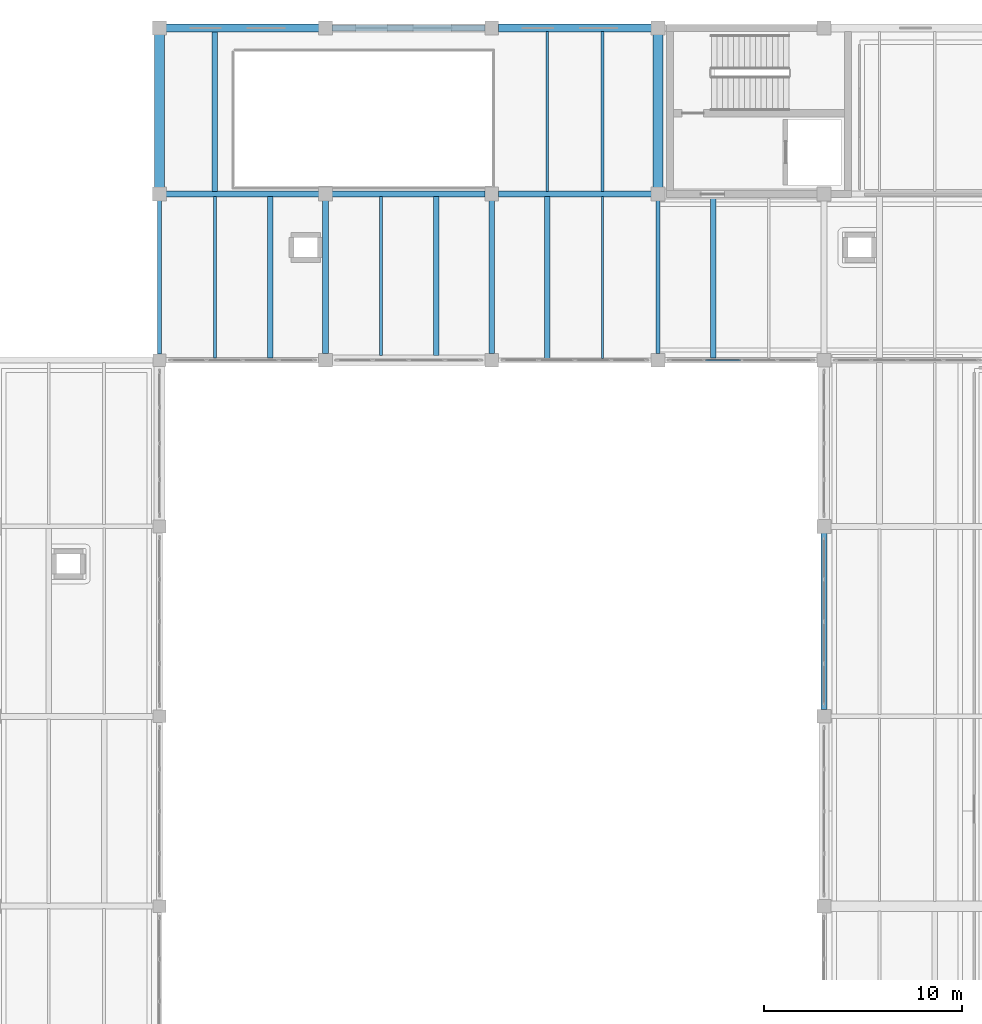
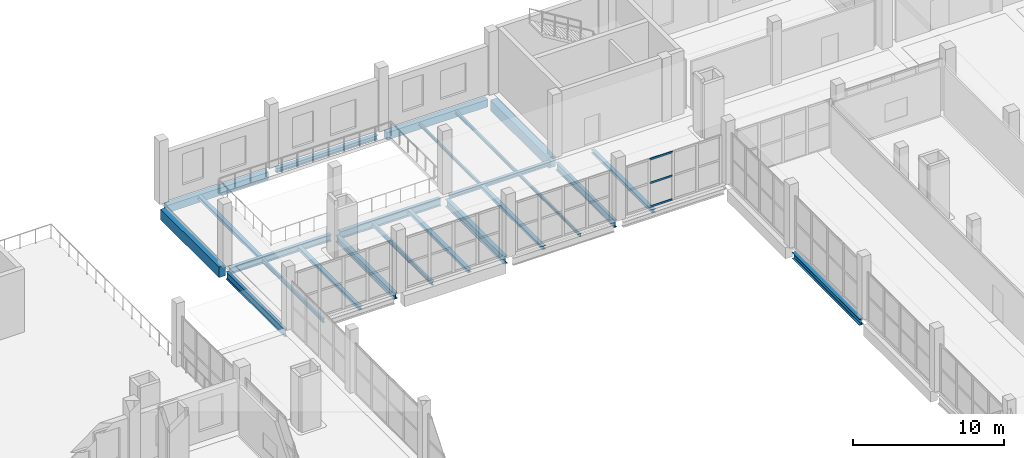
# One storey, part 29 of 73: 23 beams, 3 members, 1 element without a shape of its own.
"""IFC4 building model written with IfcOpenShell, lengths in metres."""

from ifc_helpers import new_model, si_unit, direction, frame, origin, origin_2d, place, context, subcontext, project, spatial, rectangle, hollow_rectangle, i_section, extrude, material, layer, layer_set, material_profile, profile_set, type_object, element, aggregate, save


model = new_model("IFC4")

# Units and contexts
model_context = context("Model", 3, precision=1e-05, world=origin(), true_north=direction((0.0, 1.0)))
body_context = subcontext(model_context, "Body", "Model", "MODEL_VIEW")
ifc_project = project(units=[si_unit("LENGTHUNIT", "METRE"), si_unit("AREAUNIT", "SQUARE_METRE"), si_unit("VOLUMEUNIT", "CUBIC_METRE"), si_unit("PLANEANGLEUNIT", "RADIAN"), si_unit("MASSUNIT", "GRAM", prefix="KILO")], contexts=[model_context])

# Site, building, storey
site_placement = place(None, origin())
site = spatial("IfcSite", under=ifc_project, at=site_placement, CompositionType="ELEMENT")
building_placement = place(site_placement, origin())
building = spatial("IfcBuilding", under=site, at=building_placement, Name="Zulmaris Art Gallery", CompositionType="ELEMENT")
storey_placement = place(building_placement, frame((0.0, 0.0, 10.5)))
storey = spatial("IfcBuildingStorey", under=building, at=storey_placement, Name="L02", CompositionType="ELEMENT", Elevation=10.5)

# Beams
ifc_material_1 = material(Name="Steel S355J2", Category="steel")
ifc_material_profile_1 = material_profile(ifc_material_1, i_section(OverallWidth=0.219970703125, OverallDepth=0.60009765625, WebThickness=0.011962890625, FlangeThickness=0.01904296875, FilletRadius=0.02392578125, at=origin_2d()), Name="IPE 600")
ifc_profile_set_1 = profile_set([ifc_material_profile_1], Name="Steel S355J2")
beam_type_1 = type_object("IfcBeamType", Name="BEAM-BM07", PredefinedType="BEAM", material=ifc_profile_set_1)
beam_1_placement = place(storey_placement, frame((91.199951171875, 59.110107421875, -0.695068359375), z_axis=(0.0, 1.0, 0.0), x_axis=(-1.0, 0.0, 0.0)))
element("IfcBeam", 1, at=beam_1_placement, inside=storey, type_object=beam_type_1, Name="L02 Y-girder (x=91.2, 58.8..67.2)", PredefinedType="BEAM", context=body_context, shape_type="SweptSolid", body=[
    extrude(i_section(OverallWidth=0.219970703125, OverallDepth=0.60009765625, WebThickness=0.011962890625, FlangeThickness=0.01904296875, FilletRadius=0.02392578125, at=origin_2d()), origin(), (0.0, 0.0, 1.0), 7.7548828125),
])
beam_2_placement = place(storey_placement, frame((116.39990234375, 59.135009765625, -0.695068359375), z_axis=(0.0, 1.0, 0.0), x_axis=(-1.0, 0.0, 0.0)))
element("IfcBeam", 2, at=beam_2_placement, inside=storey, type_object=beam_type_1, Name="L02 Y-girder (x=116.4, 58.8..67.2)", PredefinedType="BEAM", context=body_context, shape_type="SweptSolid", body=[
    extrude(i_section(OverallWidth=0.219970703125, OverallDepth=0.60009765625, WebThickness=0.011962890625, FlangeThickness=0.01904296875, FilletRadius=0.02392578125, at=origin_2d()), origin(), (0.0, 0.0, 1.0), 7.72998046875),
])
ifc_material_profile_2 = material_profile(ifc_material_1, i_section(OverallWidth=0.300048828125, OverallDepth=0.5, WebThickness=0.014404296875, FlangeThickness=0.028076171875, FilletRadius=0.027099609375, at=origin_2d()), Name="HEB 500")
ifc_profile_set_2 = profile_set([ifc_material_profile_2], Name="Steel S355J2")
beam_type_2 = type_object("IfcBeamType", Name="BEAM-BM14", PredefinedType="BEAM", material=ifc_profile_set_2)
for number, where, z_axis, x_axis, name in (
    (3, (91.534912109375, 67.199951171875, -0.64990234375), (1.0, 0.0, 0.0), (0.0, 1.0, 0.0), "L02 X-girder (91.2..99.6, y=67.2)"),
    (4, (99.60009765625, 59.135009765625, -0.64990234375), (0.0, 1.0, 0.0), (-1.0, 0.0, 0.0), "L02 Y-girder (x=99.6, 58.8..67.2)"),
):
    element("IfcBeam", number, at=place(storey_placement, frame(where, z_axis=z_axis, x_axis=x_axis)), inside=storey, type_object=beam_type_2, Name=name, PredefinedType="BEAM", context=body_context, shape_type="SweptSolid", body=[
        extrude(i_section(OverallWidth=0.300048828125, OverallDepth=0.5, WebThickness=0.014404296875, FlangeThickness=0.028076171875, FilletRadius=0.027099609375, at=origin_2d()), origin(), (0.0, 0.0, 1.0), 7.72998046875),
    ])
beam_3_placement = place(storey_placement, frame((124.800048828125, 41.135009765625, -0.64990234375), z_axis=(0.0, 1.0, 0.0), x_axis=(-1.0, 0.0, 0.0)))
element("IfcBeam", 5, at=beam_3_placement, inside=storey, type_object=beam_type_2, Name="L02 Y-girder (x=124.8, 40.8..50.4)", PredefinedType="BEAM", context=body_context, shape_type="SweptSolid", body=[
    extrude(i_section(OverallWidth=0.300048828125, OverallDepth=0.5, WebThickness=0.014404296875, FlangeThickness=0.028076171875, FilletRadius=0.027099609375, at=origin_2d()), origin(), (0.0, 0.0, 1.0), 8.929931640625),
])
ifc_material_profile_3 = material_profile(ifc_material_1, i_section(OverallWidth=0.300048828125, OverallDepth=0.60009765625, WebThickness=0.015380859375, FlangeThickness=0.030029296875, FilletRadius=0.027099609375, at=origin_2d()), Name="HEB 600")
ifc_profile_set_3 = profile_set([ifc_material_profile_3], Name="Steel S355J2")
beam_type_3 = type_object("IfcBeamType", Name="BEAM-BM15", PredefinedType="BEAM", material=ifc_profile_set_3)
for number, where, z_axis, x_axis, name in (
    (6, (99.93505859375, 67.199951171875, -0.699951171875), (1.0, 0.0, 0.0), (0.0, 1.0, 0.0), "L02 X-girder (99.6..108.0, y=67.2)"),
    (7, (108.0, 59.135009765625, -0.699951171875), (0.0, 1.0, 0.0), (-1.0, 0.0, 0.0), "L02 Y-girder (x=108.0, 58.8..67.2)"),
):
    element("IfcBeam", number, at=place(storey_placement, frame(where, z_axis=z_axis, x_axis=x_axis)), inside=storey, type_object=beam_type_3, Name=name, PredefinedType="BEAM", context=body_context, shape_type="SweptSolid", body=[
        extrude(i_section(OverallWidth=0.300048828125, OverallDepth=0.60009765625, WebThickness=0.015380859375, FlangeThickness=0.030029296875, FilletRadius=0.027099609375, at=origin_2d()), origin(), (0.0, 0.0, 1.0), 7.72998046875),
    ])
ifc_material_profile_4 = material_profile(ifc_material_1, i_section(OverallWidth=0.300048828125, OverallDepth=0.2900390625, WebThickness=0.008544921875, FlangeThickness=0.013916015625, FilletRadius=0.027099609375, at=origin_2d()), Name="HEA 300")
ifc_profile_set_4 = profile_set([ifc_material_profile_4], Name="Steel S355J2")
beam_type_4 = type_object("IfcBeamType", Name="BEAM-BM24", PredefinedType="BEAM", material=ifc_profile_set_4)
beam_4_placement = place(storey_placement, frame((108.3349609375, 67.199951171875, -0.544921875), z_axis=(1.0, 0.0, 0.0), x_axis=(0.0, 1.0, 0.0)))
element("IfcBeam", 8, at=beam_4_placement, inside=storey, type_object=beam_type_4, Name="L02 X-girder (108.0..116.4, y=67.2)", PredefinedType="BEAM", context=body_context, shape_type="SweptSolid", body=[
    extrude(i_section(OverallWidth=0.300048828125, OverallDepth=0.2900390625, WebThickness=0.008544921875, FlangeThickness=0.013916015625, FilletRadius=0.027099609375, at=origin_2d()), origin(), (0.0, 0.0, 1.0), 7.72998046875),
])
ifc_material_2 = material(Name="Concrete C40/50", Category="concrete")
ifc_material_profile_5 = material_profile(ifc_material_2, rectangle(XDim=0.5, YDim=0.85009765625, at=origin_2d()), Name="RC 500x850")
ifc_profile_set_5 = profile_set([ifc_material_profile_5], Name="Concrete C40/50")
beam_type_5 = type_object("IfcBeamType", Name="BEAM-BM26", PredefinedType="BEAM", material=ifc_profile_set_5)
for number, where, z_axis, x_axis, name in (
    (9, (91.199951171875, 67.534912109375, -0.824951171875), (0.0, 1.0, 0.0), (-1.0, 0.0, 0.0), "L02 Y-girder (x=91.2, 67.2..75.6)"),
    (10, (116.39990234375, 67.534912109375, -0.824951171875), (0.0, 1.0, 0.0), (-1.0, 0.0, 0.0), "L02 Y-girder (x=116.4, 67.2..75.6)"),
):
    element("IfcBeam", number, at=place(storey_placement, frame(where, z_axis=z_axis, x_axis=x_axis)), inside=storey, type_object=beam_type_5, Name=name, PredefinedType="BEAM", context=body_context, shape_type="SweptSolid", body=[
        extrude(rectangle(XDim=0.5, YDim=0.85009765625, at=origin_2d()), origin(), (0.0, 0.0, 1.0), 7.72998046875),
    ])
ifc_material_profile_6 = material_profile(ifc_material_1, i_section(OverallWidth=0.1201171875, OverallDepth=0.239990234375, WebThickness=0.006103515625, FlangeThickness=0.009765625, FilletRadius=0.014892578125, at=origin_2d()), Name="IPE 240")
ifc_profile_set_6 = profile_set([ifc_material_profile_6], Name="Steel S355J2")
beam_type_6 = type_object("IfcBeamType", Name="BEAM-JS01", PredefinedType="JOIST", material=ifc_profile_set_6)
beam_5_placement = place(storey_placement, frame((113.60009765625, 58.885009765625, -0.52001953125), z_axis=(0.0, 1.0, 0.0), x_axis=(-1.0, 0.0, 0.0)))
element("IfcBeam", 11, at=beam_5_placement, inside=storey, type_object=beam_type_6, Name="L02 secondary joist at x=113.6", PredefinedType="JOIST", context=body_context, shape_type="SweptSolid", body=[
    extrude(i_section(OverallWidth=0.1201171875, OverallDepth=0.239990234375, WebThickness=0.006103515625, FlangeThickness=0.009765625, FilletRadius=0.014892578125, at=origin_2d()), origin(), (0.0, 0.0, 1.0), 8.18994140625),
])
beam_6_placement = place(storey_placement, frame((110.800048828125, 67.324951171875, -0.52001953125), z_axis=(0.0, 1.0, 0.0), x_axis=(-1.0, 0.0, 0.0)))
element("IfcBeam", 12, at=beam_6_placement, inside=storey, type_object=beam_type_6, Name="L02 secondary joist at x=110.8", PredefinedType="JOIST", context=body_context, shape_type="SweptSolid", body=[
    extrude(i_section(OverallWidth=0.1201171875, OverallDepth=0.239990234375, WebThickness=0.006103515625, FlangeThickness=0.009765625, FilletRadius=0.014892578125, at=origin_2d()), origin(), (0.0, 0.0, 1.0), 8.10009765625),
])
ifc_material_profile_7 = material_profile(ifc_material_1, i_section(OverallWidth=0.135009765625, OverallDepth=0.27001953125, WebThickness=0.006591796875, FlangeThickness=0.01025390625, FilletRadius=0.014892578125, at=origin_2d()), Name="IPE 270")
ifc_profile_set_7 = profile_set([ifc_material_profile_7], Name="Steel S355J2")
beam_type_7 = type_object("IfcBeamType", Name="BEAM-JS02", PredefinedType="JOIST", material=ifc_profile_set_7)
beam_7_placement = place(storey_placement, frame((113.60009765625, 67.324951171875, -0.534912109375), z_axis=(0.0, 1.0, 0.0), x_axis=(-1.0, 0.0, 0.0)))
element("IfcBeam", 13, at=beam_7_placement, inside=storey, type_object=beam_type_7, Name="L02 secondary joist at x=113.6", PredefinedType="JOIST", context=body_context, shape_type="SweptSolid", body=[
    extrude(i_section(OverallWidth=0.135009765625, OverallDepth=0.27001953125, WebThickness=0.006591796875, FlangeThickness=0.01025390625, FilletRadius=0.014892578125, at=origin_2d()), origin(), (0.0, 0.0, 1.0), 8.10009765625),
])
ifc_material_profile_8 = material_profile(ifc_material_1, i_section(OverallWidth=0.159912109375, OverallDepth=0.330078125, WebThickness=0.007568359375, FlangeThickness=0.011474609375, FilletRadius=0.01806640625, at=origin_2d()), Name="IPE 330")
ifc_profile_set_8 = profile_set([ifc_material_profile_8], Name="Steel S355J2")
beam_type_8 = type_object("IfcBeamType", Name="BEAM-JS03", PredefinedType="JOIST", material=ifc_profile_set_8)
beam_8_placement = place(storey_placement, frame((94.0, 58.925048828125, -0.56494140625), z_axis=(0.0, 1.0, 0.0), x_axis=(-1.0, 0.0, 0.0)))
element("IfcBeam", 14, at=beam_8_placement, inside=storey, type_object=beam_type_8, Name="L02 secondary joist at x=94.0", PredefinedType="JOIST", context=body_context, shape_type="SweptSolid", body=[
    extrude(i_section(OverallWidth=0.159912109375, OverallDepth=0.330078125, WebThickness=0.007568359375, FlangeThickness=0.011474609375, FilletRadius=0.01806640625, at=origin_2d()), origin(), (0.0, 0.0, 1.0), 8.14990234375),
])
beam_9_placement = place(storey_placement, frame((102.39990234375, 59.050048828125, -0.56494140625), z_axis=(0.0, 1.0, 0.0), x_axis=(-1.0, 0.0, 0.0)))
element("IfcBeam", 15, at=beam_9_placement, inside=storey, type_object=beam_type_8, Name="L02 secondary joist at x=102.4", PredefinedType="JOIST", context=body_context, shape_type="SweptSolid", body=[
    extrude(i_section(OverallWidth=0.159912109375, OverallDepth=0.330078125, WebThickness=0.007568359375, FlangeThickness=0.011474609375, FilletRadius=0.01806640625, at=origin_2d()), origin(), (0.0, 0.0, 1.0), 8.02490234375),
])
ifc_material_profile_9 = material_profile(ifc_material_1, i_section(OverallWidth=0.280029296875, OverallDepth=0.27001953125, WebThickness=0.008056640625, FlangeThickness=0.012939453125, FilletRadius=0.02392578125, at=origin_2d()), Name="HEA 280")
ifc_profile_set_9 = profile_set([ifc_material_profile_9], Name="Steel S355J2")
beam_type_9 = type_object("IfcBeamType", Name="BEAM-JS04", PredefinedType="JOIST", material=ifc_profile_set_9)
beam_10_placement = place(storey_placement, frame((96.800048828125, 58.925048828125, -0.534912109375), z_axis=(0.0, 1.0, 0.0), x_axis=(-1.0, 0.0, 0.0)))
element("IfcBeam", 16, at=beam_10_placement, inside=storey, type_object=beam_type_9, Name="L02 secondary joist at x=96.8", PredefinedType="JOIST", context=body_context, shape_type="SweptSolid", body=[
    extrude(i_section(OverallWidth=0.280029296875, OverallDepth=0.27001953125, WebThickness=0.008056640625, FlangeThickness=0.012939453125, FilletRadius=0.02392578125, at=origin_2d()), origin(), (0.0, 0.0, 1.0), 8.14990234375),
])
beam_11_placement = place(storey_placement, frame((94.0, 67.324951171875, -0.534912109375), z_axis=(0.0, 1.0, 0.0), x_axis=(-1.0, 0.0, 0.0)))
element("IfcBeam", 17, at=beam_11_placement, inside=storey, type_object=beam_type_9, Name="L02 secondary joist at x=94.0", PredefinedType="JOIST", context=body_context, shape_type="SweptSolid", body=[
    extrude(i_section(OverallWidth=0.280029296875, OverallDepth=0.27001953125, WebThickness=0.008056640625, FlangeThickness=0.012939453125, FilletRadius=0.02392578125, at=origin_2d()), origin(), (0.0, 0.0, 1.0), 8.10009765625),
])
beam_12_placement = place(storey_placement, frame((105.199951171875, 59.050048828125, -0.534912109375), z_axis=(0.0, 1.0, 0.0), x_axis=(-1.0, 0.0, 0.0)))
element("IfcBeam", 18, at=beam_12_placement, inside=storey, type_object=beam_type_9, Name="L02 secondary joist at x=105.2", PredefinedType="JOIST", context=body_context, shape_type="SweptSolid", body=[
    extrude(i_section(OverallWidth=0.280029296875, OverallDepth=0.27001953125, WebThickness=0.008056640625, FlangeThickness=0.012939453125, FilletRadius=0.02392578125, at=origin_2d()), origin(), (0.0, 0.0, 1.0), 8.02490234375),
])
beam_13_placement = place(storey_placement, frame((110.800048828125, 58.885009765625, -0.534912109375), z_axis=(0.0, 1.0, 0.0), x_axis=(-1.0, 0.0, 0.0)))
element("IfcBeam", 19, at=beam_13_placement, inside=storey, type_object=beam_type_9, Name="L02 secondary joist at x=110.8", PredefinedType="JOIST", context=body_context, shape_type="SweptSolid", body=[
    extrude(i_section(OverallWidth=0.280029296875, OverallDepth=0.27001953125, WebThickness=0.008056640625, FlangeThickness=0.012939453125, FilletRadius=0.02392578125, at=origin_2d()), origin(), (0.0, 0.0, 1.0), 8.18994140625),
])
beam_14_placement = place(storey_placement, frame((119.199951171875, 58.925048828125, -0.534912109375), z_axis=(0.0, 1.0, 0.0), x_axis=(-1.0, 0.0, 0.0)))
element("IfcBeam", 20, at=beam_14_placement, inside=storey, type_object=beam_type_9, Name="L02 secondary joist at x=119.2", PredefinedType="JOIST", context=body_context, shape_type="SweptSolid", body=[
    extrude(i_section(OverallWidth=0.280029296875, OverallDepth=0.27001953125, WebThickness=0.008056640625, FlangeThickness=0.012939453125, FilletRadius=0.02392578125, at=origin_2d()), origin(), (0.0, 0.0, 1.0), 8.050048828125),
])
ifc_material_profile_10 = material_profile(ifc_material_1, i_section(OverallWidth=0.300048828125, OverallDepth=0.35009765625, WebThickness=0.010009765625, FlangeThickness=0.017578125, FilletRadius=0.027099609375, at=origin_2d()), Name="HEA 360")
ifc_profile_set_10 = profile_set([ifc_material_profile_10], Name="Steel S355J2")
beam_type_10 = type_object("IfcBeamType", Name="BEAM-SP01", PredefinedType="SPANDREL", material=ifc_profile_set_10)
beam_15_placement = place(storey_placement, frame((99.93505859375, 75.60009765625, -0.574951171875), z_axis=(1.0, 0.0, 0.0), x_axis=(0.0, 1.0, 0.0)))
element("IfcBeam", 21, at=beam_15_placement, inside=storey, type_object=beam_type_10, Name="L02 X-girder (99.6..108.0, y=75.6)", PredefinedType="SPANDREL", context=body_context, shape_type="SweptSolid", body=[
    extrude(i_section(OverallWidth=0.300048828125, OverallDepth=0.35009765625, WebThickness=0.010009765625, FlangeThickness=0.017578125, FilletRadius=0.027099609375, at=origin_2d()), origin(), (0.0, 0.0, 1.0), 7.72998046875),
])
ifc_material_profile_11 = material_profile(ifc_material_2, rectangle(XDim=0.39990234375, YDim=0.60009765625, at=origin_2d()), Name="RC 400x600")
ifc_profile_set_11 = profile_set([ifc_material_profile_11], Name="Concrete C40/50")
beam_type_11 = type_object("IfcBeamType", Name="BEAM-SP03", PredefinedType="SPANDREL", material=ifc_profile_set_11)
for number, where, z_axis, x_axis, name in (
    (22, (91.534912109375, 75.60009765625, -0.699951171875), (1.0, 0.0, 0.0), (0.0, 1.0, 0.0), "L02 X-girder (91.2..99.6, y=75.6)"),
    (23, (108.3349609375, 75.60009765625, -0.699951171875), (1.0, 0.0, 0.0), (0.0, 1.0, 0.0), "L02 X-girder (108.0..116.4, y=75.6)"),
):
    element("IfcBeam", number, at=place(storey_placement, frame(where, z_axis=z_axis, x_axis=x_axis)), inside=storey, type_object=beam_type_11, Name=name, PredefinedType="SPANDREL", context=body_context, shape_type="SweptSolid", body=[
        extrude(rectangle(XDim=0.39990234375, YDim=0.60009765625, at=origin_2d()), origin(), (0.0, 0.0, 1.0), 7.72998046875),
    ])

# Curtain wall, members
ifc_material_3 = material(Name="Unitised Low-E Gallery Curtain Wall", Category="aluminium")
ifc_layer = layer(ifc_material_3, 0.179931640625)
ifc_layer_set = layer_set([ifc_layer], Name="Unitised Low-E Gallery Curtain Wall")
curtain_wall_type = type_object("IfcCurtainWallType", Name="CW-CW01", PredefinedType="NOTDEFINED", material=ifc_layer_set)
curtain_wall_placement = place(storey_placement, origin())
curtain_wall = element("IfcCurtainWall", 24, at=curtain_wall_placement, inside=storey, type_object=curtain_wall_type, Name="L02 curtain wall 107", PredefinedType="NOTDEFINED")
ifc_material_4 = material(Name="Anodised Bronze Aluminium", Category="aluminium")
ifc_material_profile_12 = material_profile(ifc_material_4, hollow_rectangle(XDim=0.06494140625, YDim=0.14990234375, WallThickness=0.00390625, InnerFilletRadius=0.006103515625, OuterFilletRadius=0.010009765625, at=origin_2d()), Name="ALU 65x150x4")
ifc_profile_set_12 = profile_set([ifc_material_profile_12], Name="Anodised Bronze Aluminium")
member_type = type_object("IfcMemberType", Name="CWTRN-01", PredefinedType="USERDEFINED", material=ifc_profile_set_12)
member_1_placement = place(storey_placement, frame((118.8076171875, 58.800048828125, 0.03759765625), z_axis=(1.0, 0.0, 0.0), x_axis=(0.0, 1.0, 0.0)))
member_1 = element("IfcMember", 25, at=member_1_placement, type_object=member_type, Name="CW01 transom 2.1", ObjectType="TRANSOM", PredefinedType="USERDEFINED", context=body_context, shape_type="SweptSolid", body=[
    extrude(hollow_rectangle(XDim=0.06494140625, YDim=0.14990234375, WallThickness=0.00390625, InnerFilletRadius=0.006103515625, OuterFilletRadius=0.010009765625, at=origin_2d()), origin(), (0.0, 0.0, 1.0), 1.7548828125),
])
member_2_placement = place(storey_placement, frame((118.8076171875, 58.800048828125, 1.949951171875), z_axis=(1.0, 0.0, 0.0), x_axis=(0.0, 1.0, 0.0)))
member_2 = element("IfcMember", 26, at=member_2_placement, type_object=member_type, Name="CW01 transom 2.2", ObjectType="TRANSOM", PredefinedType="USERDEFINED", context=body_context, shape_type="SweptSolid", body=[
    extrude(hollow_rectangle(XDim=0.06494140625, YDim=0.14990234375, WallThickness=0.00390625, InnerFilletRadius=0.006103515625, OuterFilletRadius=0.010009765625, at=origin_2d()), origin(), (0.0, 0.0, 1.0), 1.7548828125),
])
member_3_placement = place(storey_placement, frame((118.8076171875, 58.800048828125, 3.862548828125), z_axis=(1.0, 0.0, 0.0), x_axis=(0.0, 1.0, 0.0)))
member_3 = element("IfcMember", 27, at=member_3_placement, type_object=member_type, Name="CW01 transom 2.3", ObjectType="TRANSOM", PredefinedType="USERDEFINED", context=body_context, shape_type="SweptSolid", body=[
    extrude(hollow_rectangle(XDim=0.06494140625, YDim=0.14990234375, WallThickness=0.00390625, InnerFilletRadius=0.006103515625, OuterFilletRadius=0.010009765625, at=origin_2d()), origin(), (0.0, 0.0, 1.0), 1.7548828125),
])
aggregate(curtain_wall, [member_1, member_2, member_3])

save(model, "model.ifc")
